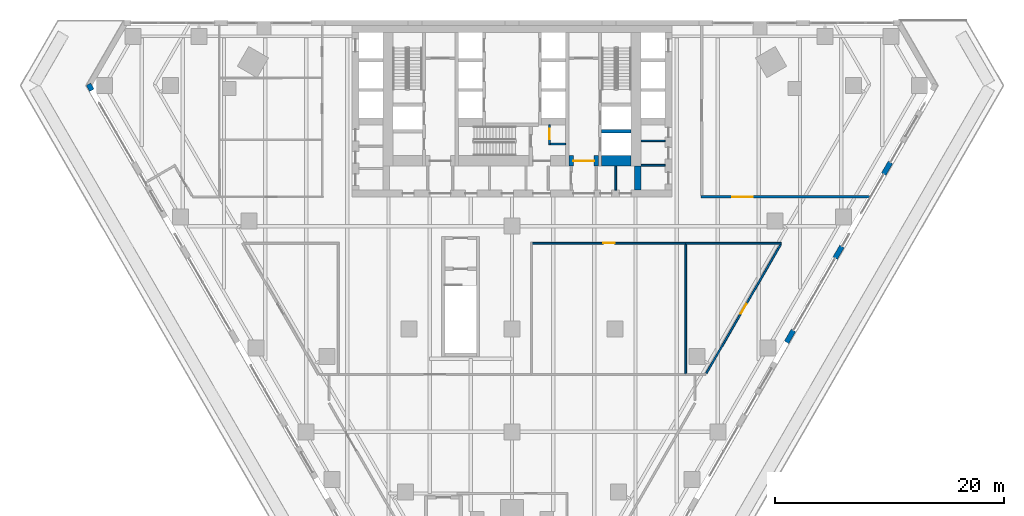
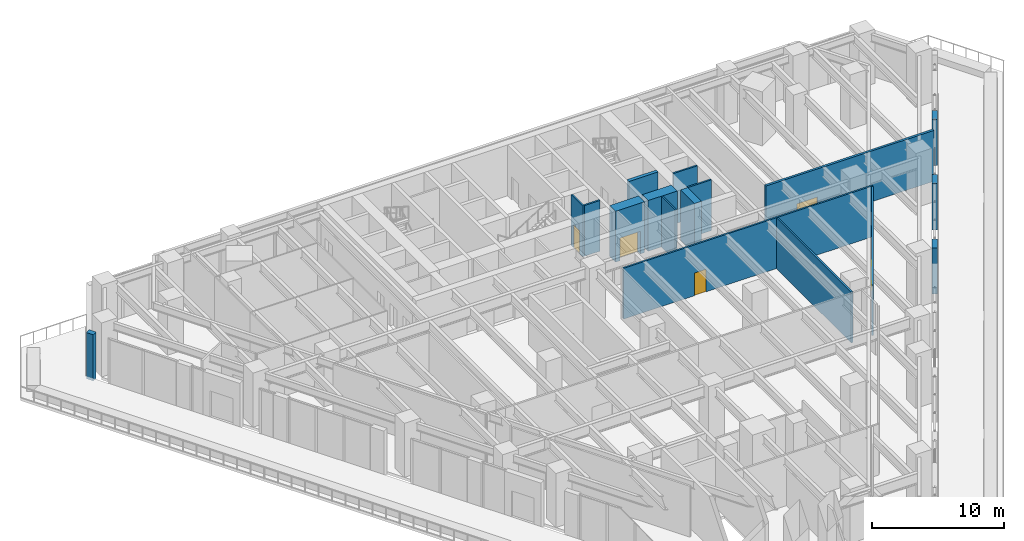
# One storey, part 24 of 31: 18 walls, 5 doors, 5 openings.
"""IFC4 building model written with IfcOpenShell, lengths in metres."""

from ifc_helpers import new_model, si_unit, direction, frame, frame_2d, origin, place, context, subcontext, project, spatial, rectangle, extrude, material, layer, layer_set, type_object, element, fill, save


model = new_model("IFC4")

# Units and contexts
model_context = context("Model", 3, precision=1e-05, world=origin(), true_north=direction((0.0, 1.0)))
body_context = subcontext(model_context, "Body", "Model", "MODEL_VIEW")
ifc_project = project(units=[si_unit("LENGTHUNIT", "METRE"), si_unit("AREAUNIT", "SQUARE_METRE"), si_unit("VOLUMEUNIT", "CUBIC_METRE"), si_unit("PLANEANGLEUNIT", "RADIAN"), si_unit("MASSUNIT", "GRAM", prefix="KILO")], contexts=[model_context])

# Site, building, storey
site_placement = place(None, origin())
site = spatial("IfcSite", under=ifc_project, at=site_placement, CompositionType="ELEMENT")
building_placement = place(site_placement, origin())
building = spatial("IfcBuilding", under=site, at=building_placement, Name="Aloe Facet Convention Tower", CompositionType="ELEMENT")
storey_placement = place(building_placement, frame((0.0, 0.0, 25.0)))
storey = spatial("IfcBuildingStorey", under=building, at=storey_placement, Name="L04", CompositionType="ELEMENT", Elevation=25.0)

# Wall, opening, door
ifc_material_1 = material(Name="Concrete blockwork partition", Category="masonry")
ifc_layer_1 = layer(ifc_material_1, 0.14990234375)
ifc_layer_set_1 = layer_set([ifc_layer_1], Name="CR-W-PART150")
wall_type_1 = type_object("IfcWallType", Name="CR-W-PART150", PredefinedType="PARTITIONING", material=ifc_layer_set_1)
wall_1_placement = place(storey_placement, frame((83.27490234375, 125.85009765625, 0.0), z_axis=(0.0, 0.0, 1.0), x_axis=(0.0, -1.0, 0.0)))
wall_1 = element("IfcWall", 1, at=wall_1_placement, inside=storey, type_object=wall_type_1, Name="Core partition L04-035", PredefinedType="PARTITIONING", context=body_context, shape_type="SweptSolid", body=[
    extrude(rectangle(XDim=1.75, YDim=0.14990234375, at=frame_2d((0.875, 0.0))), origin(), (0.0, 0.0, 1.0), 4.699951171875),
])
opening_1_placement = place(wall_1_placement, frame((0.35009765625, 0.0, 0.0)))
opening_1 = element("IfcOpeningElement", 2, at=opening_1_placement, cuts=wall_1, Name="Opening L04-CD20", PredefinedType="OPENING", context=body_context, shape_type="SweptSolid", body=[
    extrude(rectangle(XDim=0.89990234375, YDim=2.10009765625, at=frame_2d((0.449951171875, 1.050048828125))), frame((0.0, 0.0849609375, 0.0), z_axis=(0.0, -1.0, 0.0), x_axis=(1.0, 0.0, 0.0)), (0.0, 0.0, 1.0), 0.169921875),
])
ifc_material_2 = material(Name="Steel fire-resisting door set FD60", Category="steel")
door_type_1 = type_object("IfcDoorType", Name="CR-D-REFUGE-900-FD60-SRIGHT", OperationType="SINGLE_SWING_RIGHT", PredefinedType="DOOR", material=ifc_material_2)
door_1_placement = place(opening_1_placement, origin())
door_1 = element("IfcDoor", 3, at=door_1_placement, inside=storey, type_object=door_type_1, Name="Core door L04-CD20", OperationType="SINGLE_SWING_RIGHT", OverallHeight=2.10009765625, OverallWidth=0.89990234375, PredefinedType="DOOR", context=body_context, shape_type="SweptSolid", body=[
    extrude(rectangle(XDim=0.89990234375, YDim=2.10009765625, at=frame_2d((0.449951171875, 1.050048828125))), frame((0.0, 0.02490234375, 0.0), z_axis=(0.0, -1.0, 0.0), x_axis=(1.0, 0.0, 0.0)), (0.0, 0.0, 1.0), 0.050048828125),
])
fill(opening_1, door_1)

# Walls
wall_2_placement = place(storey_placement, frame((83.35009765625, 124.175048828125, 0.0), z_axis=(0.0, 0.0, 1.0), x_axis=(1.0, 0.0, 0.0)))
element("IfcWall", 4, at=wall_2_placement, inside=storey, type_object=wall_type_1, Name="Core partition L04-036", PredefinedType="PARTITIONING", context=body_context, shape_type="SweptSolid", body=[
    extrude(rectangle(XDim=1.349853515625, YDim=0.14990234375, at=frame_2d((0.6748046875, 0.0))), origin(), (0.0, 0.0, 1.0), 4.699951171875),
])
wall_3_placement = place(storey_placement, frame((89.074951171875, 122.25, 0.0), z_axis=(0.0, 0.0, 1.0), x_axis=(0.0, -1.0, 0.0)))
element("IfcWall", 5, at=wall_3_placement, inside=storey, type_object=wall_type_1, Name="Core partition L04-046", PredefinedType="PARTITIONING", context=body_context, shape_type="SweptSolid", body=[
    extrude(rectangle(XDim=2.10009765625, YDim=0.14990234375, at=frame_2d((1.050048828125, 0.0))), origin(), (0.0, 0.0, 1.0), 4.699951171875),
])
for number, where, z_axis, x_axis, name in (
    (6, (91.300048828125, 124.44873046875, 0.0), (0.0, 0.0, 1.0), (1.0, 0.0, 0.0), "Core partition L04-052"),
    (7, (91.300048828125, 122.309326171875, 0.0), (0.0, 0.0, 1.0), (1.0, 0.0, 0.0), "Core partition L04-053"),
):
    element("IfcWall", number, at=place(storey_placement, frame(where, z_axis=z_axis, x_axis=x_axis)), inside=storey, type_object=wall_type_1, Name=name, PredefinedType="PARTITIONING", context=body_context, shape_type="SweptSolid", body=[
        extrude(rectangle(XDim=2.099853515625, YDim=0.14990234375, at=frame_2d((1.0498046875, 0.0))), origin(), (0.0, 0.0, 1.0), 4.699951171875),
    ])
ifc_material_3 = material(Name="Concrete C80/95", Category="concrete")
ifc_layer_2 = layer(ifc_material_3, 0.300048828125)
ifc_layer_set_2 = layer_set([ifc_layer_2], Name="CR-W-RC300-C8095")
wall_type_2 = type_object("IfcWallType", Name="CR-W-RC300-C8095", PredefinedType="SOLIDWALL", material=ifc_layer_set_2)
wall_4_placement = place(storey_placement, frame((87.85009765625, 125.300048828125, 0.0), z_axis=(0.0, 0.0, 1.0), x_axis=(1.0, 0.0, 0.0)))
element("IfcWall", 8, at=wall_4_placement, inside=storey, type_object=wall_type_2, Name="Core wall L04-044", PredefinedType="SOLIDWALL", context=body_context, shape_type="SweptSolid", body=[
    extrude(rectangle(XDim=2.5498046875, YDim=0.300048828125, at=frame_2d((1.27490234375, 0.0))), origin(), (0.0, 0.0, 1.0), 4.699951171875),
])
ifc_material_4 = material(Name="Concrete C80/95", Category="concrete")
ifc_layer_3 = layer(ifc_material_4, 0.60009765625)
ifc_layer_set_3 = layer_set([ifc_layer_3], Name="CR-W-RC600-C8095")
wall_type_3 = type_object("IfcWallType", Name="CR-W-RC600-C8095", PredefinedType="SOLIDWALL", material=ifc_layer_set_3)
wall_5_placement = place(storey_placement, frame((91.0, 122.25, 0.0), z_axis=(0.0, 0.0, 1.0), x_axis=(0.0, -1.0, 0.0)))
element("IfcWall", 9, at=wall_5_placement, inside=storey, type_object=wall_type_3, Name="Core wall L04-048", PredefinedType="SOLIDWALL", context=body_context, shape_type="SweptSolid", body=[
    extrude(rectangle(XDim=2.10009765625, YDim=0.60009765625, at=frame_2d((1.050048828125, 0.0))), origin(), (0.0, 0.0, 1.0), 4.699951171875),
])

# Wall, opening, door
ifc_material_5 = material(Name="Concrete C80/95", Category="concrete")
ifc_layer_4 = layer(ifc_material_5, 0.89990234375)
ifc_layer_set_4 = layer_set([ifc_layer_4], Name="CR-W-RC900-C8095")
wall_type_4 = type_object("IfcWallType", Name="CR-W-RC900-C8095", PredefinedType="SOLIDWALL", material=ifc_layer_set_4)
wall_6_placement = place(storey_placement, frame((85.0, 122.699951171875, 0.0), z_axis=(0.0, 0.0, 1.0), x_axis=(1.0, 0.0, 0.0)))
wall_6 = element("IfcWall", 10, at=wall_6_placement, inside=storey, type_object=wall_type_4, Name="Core wall L04-039", PredefinedType="SOLIDWALL", context=body_context, shape_type="SweptSolid", body=[
    extrude(rectangle(XDim=2.550048828125, YDim=0.89990234375, at=frame_2d((1.27490234375, 0.0))), origin(), (0.0, 0.0, 1.0), 4.699951171875),
])
opening_2_placement = place(wall_6_placement, frame((0.375, 0.0, 0.0)))
opening_2 = element("IfcOpeningElement", 11, at=opening_2_placement, cuts=wall_6, Name="Opening L04-CD14", PredefinedType="OPENING", context=body_context, shape_type="SweptSolid", body=[
    extrude(rectangle(XDim=1.800048828125, YDim=2.10009765625, at=frame_2d((0.89990234375, 1.050048828125))), frame((0.0, 0.4599609375, 0.0), z_axis=(0.0, -1.0, 0.0), x_axis=(1.0, 0.0, 0.0)), (0.0, 0.0, 1.0), 0.919921875),
])
ifc_material_6 = material(Name="Steel fire-resisting door set FD120", Category="steel")
door_type_2 = type_object("IfcDoorType", Name="CR-D-EXIT-1800-FD120-DD", OperationType="DOUBLE_DOOR_DOUBLE_SWING", PredefinedType="DOOR", material=ifc_material_6)
door_2_placement = place(opening_2_placement, origin())
door_2 = element("IfcDoor", 12, at=door_2_placement, inside=storey, type_object=door_type_2, Name="Core door L04-CD14", OperationType="DOUBLE_DOOR_DOUBLE_SWING", OverallHeight=2.10009765625, OverallWidth=1.800048828125, PredefinedType="DOOR", context=body_context, shape_type="SweptSolid", body=[
    extrude(rectangle(XDim=1.800048828125, YDim=2.10009765625, at=frame_2d((0.89990234375, 1.050048828125))), frame((0.0, 0.02490234375, 0.0), z_axis=(0.0, -1.0, 0.0), x_axis=(1.0, 0.0, 0.0)), (0.0, 0.0, 1.0), 0.050048828125),
])
fill(opening_2, door_2)

# Walls
wall_7_placement = place(storey_placement, frame((87.85009765625, 122.699951171875, 0.0), z_axis=(0.0, 0.0, 1.0), x_axis=(1.0, 0.0, 0.0)))
element("IfcWall", 13, at=wall_7_placement, inside=storey, type_object=wall_type_4, Name="Core wall L04-045", PredefinedType="SOLIDWALL", context=body_context, shape_type="SweptSolid", body=[
    extrude(rectangle(XDim=2.5498046875, YDim=0.89990234375, at=frame_2d((1.27490234375, 0.0))), origin(), (0.0, 0.0, 1.0), 4.699951171875),
])
ifc_material_7 = material(Name="Precast concrete C40/50", Category="concrete")
ifc_layer_5 = layer(ifc_material_7, 0.449951171875)
ifc_layer_set_5 = layer_set([ifc_layer_5], Name="EV-WALL-STONE")
wall_type_5 = type_object("IfcWallType", Name="EV-WALL-STONE", PredefinedType="SOLIDWALL", material=ifc_layer_set_5)
wall_8_placement = place(storey_placement, frame((42.94775390625, 129.396728515625, -0.25), z_axis=(0.0, 0.0, 1.0), x_axis=(0.50012165622, -0.865955154139, 0.0)))
element("IfcWall", 14, at=wall_8_placement, inside=storey, type_object=wall_type_5, Name="PW-L04-W01", PredefinedType="SOLIDWALL", context=body_context, shape_type="SweptSolid", body=[
    extrude(rectangle(XDim=0.599853515625, YDim=0.449951171875, at=frame_2d((0.2998046875, 0.0))), origin(), (0.0, 0.0, 1.0), 4.262451171875),
])
wall_9_placement = place(storey_placement, frame((104.02197265625, 106.827880859375, -0.25), z_axis=(0.0, 0.0, 1.0), x_axis=(0.500033551112, 0.866006032174, 0.0)))
element("IfcWall", 15, at=wall_9_placement, inside=storey, type_object=wall_type_5, Name="PW-L04-E11", PredefinedType="SOLIDWALL", context=body_context, shape_type="SweptSolid", body=[
    extrude(rectangle(XDim=1.2001953125, YDim=0.449951171875, at=frame_2d((0.60009765625, 0.0))), origin(), (0.0, 0.0, 1.0), 4.262451171875),
])
wall_10_placement = place(storey_placement, frame((108.265380859375, 114.177734375, -0.25), z_axis=(0.0, 0.0, 1.0), x_axis=(0.50012165622, 0.865955154139, 0.0)))
element("IfcWall", 16, at=wall_10_placement, inside=storey, type_object=wall_type_5, Name="PW-L04-E13", PredefinedType="SOLIDWALL", context=body_context, shape_type="SweptSolid", body=[
    extrude(rectangle(XDim=1.199951171875, YDim=0.449951171875, at=frame_2d((0.60009765625, 0.0))), origin(), (0.0, 0.0, 1.0), 4.262451171875),
])
wall_11_placement = place(storey_placement, frame((112.5087890625, 121.52734375, -0.25), z_axis=(0.0, 0.0, 1.0), x_axis=(0.500033551112, 0.866006032174, 0.0)))
element("IfcWall", 17, at=wall_11_placement, inside=storey, type_object=wall_type_5, Name="PW-L04-E15", PredefinedType="SOLIDWALL", context=body_context, shape_type="SweptSolid", body=[
    extrude(rectangle(XDim=1.2001953125, YDim=0.449951171875, at=frame_2d((0.60009765625, 0.0))), origin(), (0.0, 0.0, 1.0), 4.262451171875),
])

# Wall, opening, door
ifc_material_8 = material(Name="Masonry blockwork wall, plastered", Category="masonry")
ifc_layer_6 = layer(ifc_material_8, 0.199951171875)
ifc_layer_set_6 = layer_set([ifc_layer_6], Name="IN-POD-W-ASSY")
wall_type_6 = type_object("IfcWallType", Name="IN-POD-W-ASSY", PredefinedType="PARTITIONING", material=ifc_layer_set_6)
wall_12_placement = place(storey_placement, frame((96.525634765625, 119.550048828125, 0.0), z_axis=(0.0, 0.0, 1.0), x_axis=(1.0, 0.0, 0.0)))
wall_12 = element("IfcWall", 18, at=wall_12_placement, inside=storey, type_object=wall_type_6, Name="Partition L04-W034", PredefinedType="PARTITIONING", context=body_context, shape_type="SweptSolid", body=[
    extrude(rectangle(XDim=14.72900390625, YDim=0.199951171875, at=frame_2d((7.364501953125, 0.0))), origin(), (0.0, 0.0, 1.0), 4.699951171875),
])
opening_3_placement = place(wall_12_placement, frame((2.736328125, 0.0, 0.0)))
opening_3 = element("IfcOpeningElement", 19, at=opening_3_placement, cuts=wall_12, Name="Opening L04-006", PredefinedType="OPENING", context=body_context, shape_type="SweptSolid", body=[
    extrude(rectangle(XDim=1.800048828125, YDim=2.10009765625, at=frame_2d((0.89990234375, 1.050048828125))), frame((0.0, 0.10986328125, 0.0), z_axis=(0.0, -1.0, 0.0), x_axis=(1.0, 0.0, 0.0)), (0.0, 0.0, 1.0), 0.219970703125),
])
ifc_material_9 = material(Name="Hardwood flush door pair", Category="wood")
door_type_3 = type_object("IfcDoorType", Name="IN-POD-D-PAIR", OperationType="DOUBLE_DOOR_SINGLE_SWING", PredefinedType="DOOR", material=ifc_material_9)
door_3_placement = place(opening_3_placement, origin())
door_3 = element("IfcDoor", 20, at=door_3_placement, inside=storey, type_object=door_type_3, Name="Door L04-006", OperationType="SINGLE_SWING_LEFT", OverallHeight=2.10009765625, OverallWidth=1.800048828125, PredefinedType="DOOR", context=body_context, shape_type="SweptSolid", body=[
    extrude(rectangle(XDim=1.800048828125, YDim=2.10009765625, at=frame_2d((0.89990234375, 1.050048828125))), frame((0.0, 0.02490234375, 0.0), z_axis=(0.0, -1.0, 0.0), x_axis=(1.0, 0.0, 0.0)), (0.0, 0.0, 1.0), 0.050048828125),
])
fill(opening_3, door_3)

# Wall
ifc_material_10 = material(Name="Gypsum board partition on steel studs, double layer", Category="steel")
ifc_layer_7 = layer(ifc_material_10, 0.14990234375)
ifc_layer_set_7 = layer_set([ifc_layer_7], Name="IN-POD-W-CORR")
wall_type_7 = type_object("IfcWallType", Name="IN-POD-W-CORR", PredefinedType="PARTITIONING", material=ifc_layer_set_7)
wall_13_placement = place(storey_placement, frame((95.199951171875, 104.074951171875, 0.0), z_axis=(0.0, 0.0, 1.0), x_axis=(0.0, 1.0, 0.0)))
element("IfcWall", 21, at=wall_13_placement, inside=storey, type_object=wall_type_7, Name="Partition L04-W024", PredefinedType="PARTITIONING", context=body_context, shape_type="SweptSolid", body=[
    extrude(rectangle(XDim=11.35009765625, YDim=0.14990234375, at=frame_2d((5.675048828125, 0.0))), origin(), (0.0, 0.0, 1.0), 4.699951171875),
])

# Wall, opening, door
wall_14_placement = place(storey_placement, frame((81.77001953125, 115.5, 0.0), z_axis=(0.0, 0.0, 1.0), x_axis=(1.0, 0.0, 0.0)))
wall_14 = element("IfcWall", 22, at=wall_14_placement, inside=storey, type_object=wall_type_7, Name="Partition L04-W029", PredefinedType="PARTITIONING", context=body_context, shape_type="SweptSolid", body=[
    extrude(rectangle(XDim=13.429931640625, YDim=0.14990234375, at=frame_2d((6.71484375, 0.0))), origin(), (0.0, 0.0, 1.0), 4.699951171875),
])
opening_4_placement = place(wall_14_placement, frame((6.215087890625, 0.0, 0.0)))
opening_4 = element("IfcOpeningElement", 23, at=opening_4_placement, cuts=wall_14, Name="Opening L04-008", PredefinedType="OPENING", context=body_context, shape_type="SweptSolid", body=[
    extrude(rectangle(XDim=1.0, YDim=2.10009765625, at=frame_2d((0.5, 1.050048828125))), frame((0.0, 0.0849609375, 0.0), z_axis=(0.0, -1.0, 0.0), x_axis=(1.0, 0.0, 0.0)), (0.0, 0.0, 1.0), 0.169921875),
])
ifc_material_11 = material(Name="Hardwood flush door", Category="wood")
door_type_4 = type_object("IfcDoorType", Name="IN-POD-D-WIDE", OperationType="SINGLE_SWING_LEFT", PredefinedType="DOOR", material=ifc_material_11)
door_4_placement = place(opening_4_placement, origin())
door_4 = element("IfcDoor", 24, at=door_4_placement, inside=storey, type_object=door_type_4, Name="Door L04-008", OperationType="SINGLE_SWING_LEFT", OverallHeight=2.10009765625, OverallWidth=1.0, PredefinedType="DOOR", context=body_context, shape_type="SweptSolid", body=[
    extrude(rectangle(XDim=1.0, YDim=2.10009765625, at=frame_2d((0.5, 1.050048828125))), frame((0.0, 0.02490234375, 0.0), z_axis=(0.0, -1.0, 0.0), x_axis=(1.0, 0.0, 0.0)), (0.0, 0.0, 1.0), 0.050048828125),
])
fill(opening_4, door_4)

# Wall
wall_15_placement = place(storey_placement, frame((95.199951171875, 115.5, 0.0), z_axis=(0.0, 0.0, 1.0), x_axis=(1.0, 0.0, 0.0)))
element("IfcWall", 25, at=wall_15_placement, inside=storey, type_object=wall_type_7, Name="Partition L04-W030", PredefinedType="PARTITIONING", context=body_context, shape_type="SweptSolid", body=[
    extrude(rectangle(XDim=8.373046875, YDim=0.14990234375, at=frame_2d((4.1865234375, 0.0))), origin(), (0.0, 0.0, 1.0), 4.699951171875),
])

# Wall, opening, door
wall_16_placement = place(storey_placement, frame((96.998291015625, 104.112548828125, 0.0), z_axis=(0.0, 0.0, 1.0), x_axis=(0.500011390128, 0.866018827591, 0.0)))
wall_16 = element("IfcWall", 26, at=wall_16_placement, inside=storey, type_object=wall_type_7, Name="Partition L04-W031", PredefinedType="PARTITIONING", context=body_context, shape_type="SweptSolid", body=[
    extrude(rectangle(XDim=13.019287109375, YDim=0.14990234375, at=frame_2d((6.509765625, 0.0))), origin(), (0.0, 0.0, 1.0), 4.699951171875),
])
opening_5_placement = place(wall_16_placement, frame((6.009521484375, 0.0, 0.0)))
opening_5 = element("IfcOpeningElement", 27, at=opening_5_placement, cuts=wall_16, Name="Opening L04-009", PredefinedType="OPENING", context=body_context, shape_type="SweptSolid", body=[
    extrude(rectangle(XDim=1.0, YDim=2.10009765625, at=frame_2d((0.5, 1.050048828125))), frame((0.0, 0.0849609375, 0.0), z_axis=(0.0, -1.0, 0.0), x_axis=(1.0, 0.0, 0.0)), (0.0, 0.0, 1.0), 0.169921875),
])
door_5_placement = place(opening_5_placement, origin())
door_5 = element("IfcDoor", 28, at=door_5_placement, inside=storey, type_object=door_type_4, Name="Door L04-009", OperationType="SINGLE_SWING_LEFT", OverallHeight=2.10009765625, OverallWidth=1.0, PredefinedType="DOOR", context=body_context, shape_type="SweptSolid", body=[
    extrude(rectangle(XDim=1.0, YDim=2.10009765625, at=frame_2d((0.5, 1.050048828125))), frame((0.0, 0.02490234375, 0.0), z_axis=(0.0, -1.0, 0.0), x_axis=(1.0, 0.0, 0.0)), (0.0, 0.0, 1.0), 0.050048828125),
])
fill(opening_5, door_5)

save(model, "model.ifc")
